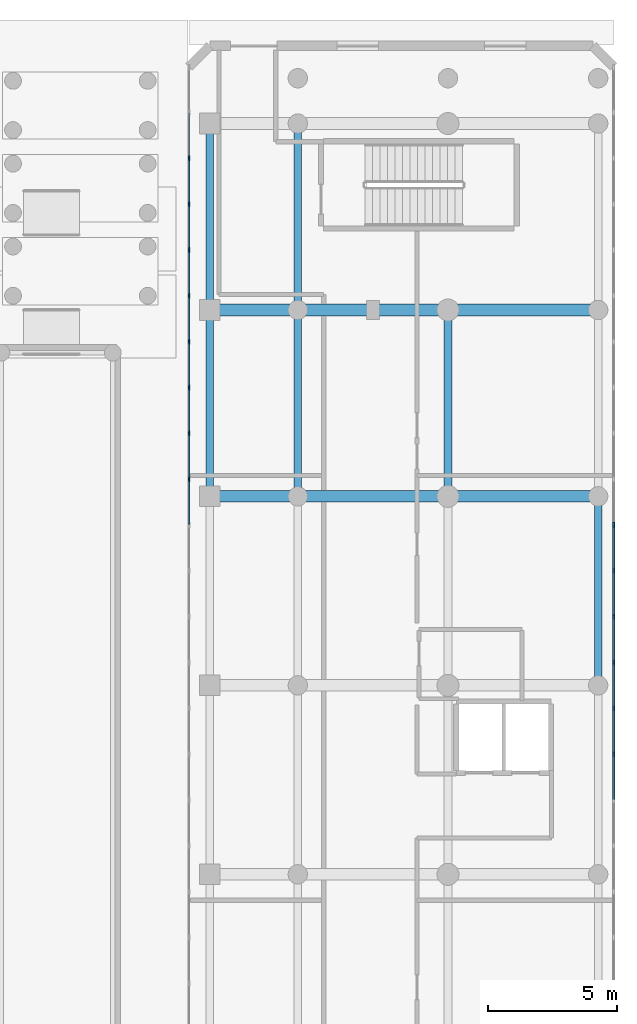
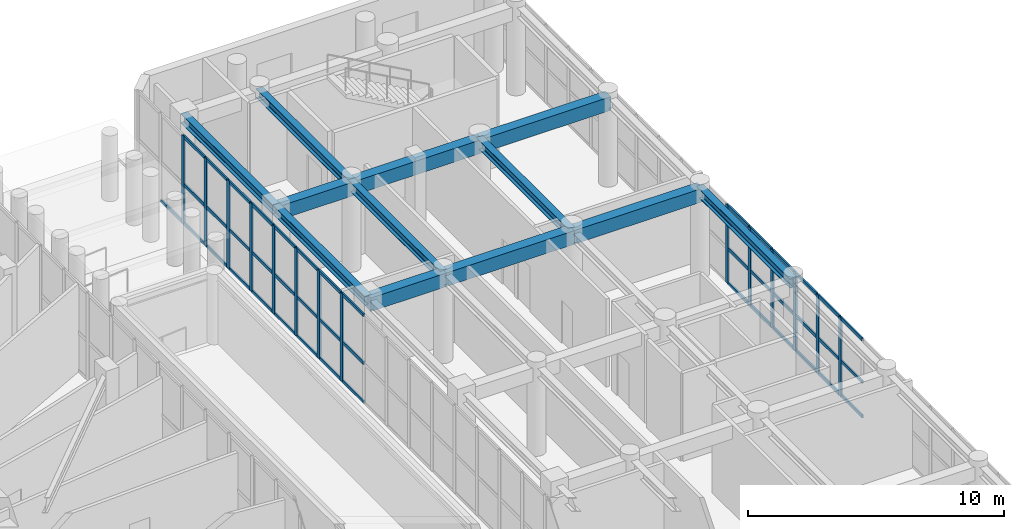
# One storey, part 8 of 30: 57 members, 12 beams, 2 elements without a shape of their own.
"""IFC4 building model written with IfcOpenShell, lengths in metres."""

from ifc_helpers import new_model, si_unit, direction, frame, origin, origin_with_axes, origin_2d, place, context, subcontext, project, spatial, rectangle, i_section, extrude, source, transform, mapped, material, layer, layer_set, material_profile, profile_set, type_object, element, aggregate, save


model = new_model("IFC4")

# Units and contexts
model_context = context("Model", 3, precision=1e-05, world=origin(), true_north=direction((0.0, 1.0)))
body_context = subcontext(model_context, "Body", "Model", "MODEL_VIEW")
ifc_project = project(units=[si_unit("LENGTHUNIT", "METRE"), si_unit("AREAUNIT", "SQUARE_METRE"), si_unit("VOLUMEUNIT", "CUBIC_METRE"), si_unit("PLANEANGLEUNIT", "RADIAN"), si_unit("MASSUNIT", "GRAM", prefix="KILO")], contexts=[model_context])

# Site, building, storey
site_placement = place(None, origin())
site = spatial("IfcSite", under=ifc_project, at=site_placement, CompositionType="ELEMENT")
building_placement = place(site_placement, origin())
building = spatial("IfcBuilding", under=site, at=building_placement, Name="Karkom Vertical University and Central Library", CompositionType="ELEMENT")
storey_placement = place(building_placement, origin())
storey = spatial("IfcBuildingStorey", under=building, at=storey_placement, Name="L00", CompositionType="ELEMENT", Elevation=0.0)

# Beams
ifc_material_1 = material(Name="Concrete C40/50", Category="concrete")
ifc_material_profile_1 = material_profile(ifc_material_1, rectangle(XDim=0.449951171875, YDim=0.64990234375, at=origin_2d()), Name="RCB-450x650")
ifc_profile_set_1 = profile_set([ifc_material_profile_1], Name="Concrete C40/50")
beam_type_1 = type_object("IfcBeamType", Name="STR-BM-BG-4", PredefinedType="USERDEFINED", material=ifc_profile_set_1)
shared_shape_1 = source(origin_with_axes(), body_context, "Body", "SweptSolid", [
    extrude(rectangle(XDim=0.449951171875, YDim=0.64990234375, at=origin_2d()), origin(), (0.0, 0.0, 1.0), 3.400146484375),
])
for number, where, z_axis, x_axis, name in (
    (1, (66.199951171875, 33.800048828125, 3.875), (1.0, 0.0, 0.0), (0.0, 1.0, 0.0), "Level 00 Library Transverse Girder 5.1"),
    (2, (66.199951171875, 41.0, 3.875), (1.0, 0.0, 0.0), (0.0, 1.0, 0.0), "Level 00 Library Transverse Girder 6.1"),
):
    element("IfcBeam", number, at=place(storey_placement, frame(where, z_axis=z_axis, x_axis=x_axis)), inside=storey, type_object=beam_type_1, Name=name, ObjectType="GIRDER", PredefinedType="USERDEFINED", context=body_context, shape_type="MappedRepresentation", body=[
        mapped(shared_shape_1, transform((0.0, 0.0, 0.0), scale=1.0)),
    ])
shared_shape_2 = source(origin_with_axes(), body_context, "Body", "SweptSolid", [
    extrude(rectangle(XDim=0.449951171875, YDim=0.64990234375, at=origin_2d()), origin(), (0.0, 0.0, 1.0), 5.7998046875),
])
for number, where, z_axis, x_axis, name in (
    (3, (69.60009765625, 33.800048828125, 3.875), (1.0, 0.0, 0.0), (0.0, 1.0, 0.0), "Level 00 Library Transverse Girder 5.2"),
    (4, (69.60009765625, 41.0, 3.875), (1.0, 0.0, 0.0), (0.0, 1.0, 0.0), "Level 00 Library Transverse Girder 6.2"),
):
    element("IfcBeam", number, at=place(storey_placement, frame(where, z_axis=z_axis, x_axis=x_axis)), inside=storey, type_object=beam_type_1, Name=name, ObjectType="GIRDER", PredefinedType="USERDEFINED", context=body_context, shape_type="MappedRepresentation", body=[
        mapped(shared_shape_2, transform((0.0, 0.0, 0.0), scale=1.0)),
    ])
shared_shape_3 = source(origin_with_axes(), body_context, "Body", "SweptSolid", [
    extrude(rectangle(XDim=0.449951171875, YDim=0.64990234375, at=origin_2d()), origin(), (0.0, 0.0, 1.0), 5.800048828125),
])
for number, where, z_axis, x_axis, name in (
    (5, (75.39990234375, 33.800048828125, 3.875), (1.0, 0.0, 0.0), (0.0, 1.0, 0.0), "Level 00 Library Transverse Girder 5.3"),
    (6, (75.39990234375, 41.0, 3.875), (1.0, 0.0, 0.0), (0.0, 1.0, 0.0), "Level 00 Library Transverse Girder 6.3"),
):
    element("IfcBeam", number, at=place(storey_placement, frame(where, z_axis=z_axis, x_axis=x_axis)), inside=storey, type_object=beam_type_1, Name=name, ObjectType="GIRDER", PredefinedType="USERDEFINED", context=body_context, shape_type="MappedRepresentation", body=[
        mapped(shared_shape_3, transform((0.0, 0.0, 0.0), scale=1.0)),
    ])
ifc_material_2 = material(Name="Steel S355", Category="steel")
ifc_material_profile_2 = material_profile(ifc_material_2, i_section(OverallWidth=0.300048828125, OverallDepth=0.449951171875, WebThickness=0.013916015625, FlangeThickness=0.02587890625, FilletRadius=0.027099609375, at=origin_2d()), Name="HE 450 B")
ifc_profile_set_2 = profile_set([ifc_material_profile_2], Name="Steel S355")
beam_type_2 = type_object("IfcBeamType", Name="STR-BM-SB-HE450", PredefinedType="BEAM", material=ifc_profile_set_2)
shared_shape_4 = source(origin_with_axes(), body_context, "Body", "SweptSolid", [
    extrude(i_section(OverallWidth=0.300048828125, OverallDepth=0.449951171875, WebThickness=0.013916015625, FlangeThickness=0.02587890625, FilletRadius=0.027099609375, at=origin_2d()), origin(), (0.0, 0.0, 1.0), 7.199951171875),
])
for number, where, z_axis, x_axis, name in (
    (7, (66.199951171875, 33.800048828125, 3.97509765625), (0.0, 1.0, 0.0), (-1.0, 0.0, 0.0), "Level 00 Library Longitudinal Beam 1.5"),
    (8, (66.199951171875, 41.0, 3.97509765625), (0.0, 1.0, 0.0), (-1.0, 0.0, 0.0), "Level 00 Library Longitudinal Beam 1.6"),
    (9, (69.60009765625, 33.800048828125, 3.97509765625), (0.0, 1.0, 0.0), (-1.0, 0.0, 0.0), "Level 00 Library Longitudinal Beam 2.5"),
    (10, (69.60009765625, 41.0, 3.97509765625), (0.0, 1.0, 0.0), (-1.0, 0.0, 0.0), "Level 00 Library Longitudinal Beam 2.6"),
    (11, (75.39990234375, 33.800048828125, 3.97509765625), (0.0, 1.0, 0.0), (-1.0, 0.0, 0.0), "Level 00 Library Longitudinal Beam 3.5"),
):
    element("IfcBeam", number, at=place(storey_placement, frame(where, z_axis=z_axis, x_axis=x_axis)), inside=storey, type_object=beam_type_2, Name=name, PredefinedType="BEAM", context=body_context, shape_type="MappedRepresentation", body=[
        mapped(shared_shape_4, transform((0.0, 0.0, 0.0), scale=1.0)),
    ])
shared_shape_5 = source(origin_with_axes(), body_context, "Body", "SweptSolid", [
    extrude(i_section(OverallWidth=0.300048828125, OverallDepth=0.449951171875, WebThickness=0.013916015625, FlangeThickness=0.02587890625, FilletRadius=0.027099609375, at=origin_2d()), origin(), (0.0, 0.0, 1.0), 7.300048828125),
])
beam_placement = place(storey_placement, frame((81.199951171875, 26.5, 3.97509765625), z_axis=(0.0, 1.0, 0.0), x_axis=(-1.0, 0.0, 0.0)))
element("IfcBeam", 12, at=beam_placement, inside=storey, type_object=beam_type_2, Name="Level 00 Library Longitudinal Beam 4.4", PredefinedType="BEAM", context=body_context, shape_type="MappedRepresentation", body=[
    mapped(shared_shape_5, transform((0.0, 0.0, 0.0), scale=1.0)),
])

# Curtain wall, members
ifc_material_3 = material(Name="Aluminium curtain-wall framing and low-E IGU", Category="aluminium")
ifc_layer = layer(ifc_material_3, 0.199951171875)
ifc_layer_set = layer_set([ifc_layer], Name="Aluminium curtain-wall framing and low-E IGU")
curtain_wall_type = type_object("IfcCurtainWallType", Name="ENV-CW-1", PredefinedType="USERDEFINED", material=ifc_layer_set)
curtain_wall_1_placement = place(storey_placement, origin())
curtain_wall_1 = element("IfcCurtainWall", 13, at=curtain_wall_1_placement, inside=storey, type_object=curtain_wall_type, Name="Level 00 CW-1 Curtain Wall L00-CW-1-LIB-3", ObjectType="STICK MULLION GLAZING", PredefinedType="USERDEFINED")
ifc_material_4 = material(Name="Anodised Aluminium 6063-T6", Category="aluminium")
ifc_material_profile_3 = material_profile(ifc_material_4, rectangle(XDim=0.070068359375, YDim=0.199951171875, at=origin_2d()), Name="ALU-M70x200")
ifc_profile_set_3 = profile_set([ifc_material_profile_3], Name="Anodised Aluminium 6063-T6")
member_type_1 = type_object("IfcMemberType", Name="ENV-MEM-ALU-M70x200", PredefinedType="MULLION", material=ifc_profile_set_3)
shared_shape_6 = source(origin_with_axes(), body_context, "Body", "SweptSolid", [
    extrude(rectangle(XDim=0.070068359375, YDim=0.199951171875, at=origin_2d()), origin(), (0.0, 0.0, 1.0), 3.75),
])
member_1_placement = place(storey_placement, frame((81.800048828125, 23.844482421875, 0.0), z_axis=(0.0, 0.0, 1.0), x_axis=(-1.0, 0.0, 0.0)))
member_1 = element("IfcMember", 14, at=member_1_placement, type_object=member_type_1, Name="CW-1 mullion 13", PredefinedType="MULLION", context=body_context, shape_type="MappedRepresentation", body=[
    mapped(shared_shape_6, transform((0.0, 0.0, 0.0), scale=1.0)),
])
member_2_placement = place(storey_placement, frame((81.800048828125, 25.61474609375, 0.0), z_axis=(0.0, 0.0, 1.0), x_axis=(-1.0, 0.0, 0.0)))
member_2 = element("IfcMember", 15, at=member_2_placement, type_object=member_type_1, Name="CW-1 mullion 14", PredefinedType="MULLION", context=body_context, shape_type="MappedRepresentation", body=[
    mapped(shared_shape_6, transform((0.0, 0.0, 0.0), scale=1.0)),
])
member_3_placement = place(storey_placement, frame((81.800048828125, 27.38525390625, 0.0), z_axis=(0.0, 0.0, 1.0), x_axis=(-1.0, 0.0, 0.0)))
member_3 = element("IfcMember", 16, at=member_3_placement, type_object=member_type_1, Name="CW-1 mullion 15", PredefinedType="MULLION", context=body_context, shape_type="MappedRepresentation", body=[
    mapped(shared_shape_6, transform((0.0, 0.0, 0.0), scale=1.0)),
])
member_4_placement = place(storey_placement, frame((81.800048828125, 29.155517578125, 0.0), z_axis=(0.0, 0.0, 1.0), x_axis=(-1.0, 0.0, 0.0)))
member_4 = element("IfcMember", 17, at=member_4_placement, type_object=member_type_1, Name="CW-1 mullion 16", PredefinedType="MULLION", context=body_context, shape_type="MappedRepresentation", body=[
    mapped(shared_shape_6, transform((0.0, 0.0, 0.0), scale=1.0)),
])
member_5_placement = place(storey_placement, frame((81.800048828125, 30.926025390625, 0.0), z_axis=(0.0, 0.0, 1.0), x_axis=(-1.0, 0.0, 0.0)))
member_5 = element("IfcMember", 18, at=member_5_placement, type_object=member_type_1, Name="CW-1 mullion 17", PredefinedType="MULLION", context=body_context, shape_type="MappedRepresentation", body=[
    mapped(shared_shape_6, transform((0.0, 0.0, 0.0), scale=1.0)),
])
member_6_placement = place(storey_placement, frame((81.800048828125, 32.6962890625, 0.0), z_axis=(0.0, 0.0, 1.0), x_axis=(-1.0, 0.0, 0.0)))
member_6 = element("IfcMember", 19, at=member_6_placement, type_object=member_type_1, Name="CW-1 mullion 18", PredefinedType="MULLION", context=body_context, shape_type="MappedRepresentation", body=[
    mapped(shared_shape_6, transform((0.0, 0.0, 0.0), scale=1.0)),
])
ifc_material_profile_4 = material_profile(ifc_material_4, rectangle(XDim=0.070068359375, YDim=0.14990234375, at=origin_2d()), Name="ALU-T70x150")
ifc_profile_set_4 = profile_set([ifc_material_profile_4], Name="Anodised Aluminium 6063-T6")
member_type_2 = type_object("IfcMemberType", Name="ENV-MEM-ALU-T70x150", PredefinedType="USERDEFINED", material=ifc_profile_set_4)
shared_shape_7 = source(origin_with_axes(), body_context, "Body", "SweptSolid", [
    extrude(rectangle(XDim=0.070068359375, YDim=0.14990234375, at=origin_2d()), origin(), (0.0, 0.0, 1.0), 1.700439453125),
])
member_7_placement = place(storey_placement, frame((81.800048828125, 23.87939453125, 0.034912109375), z_axis=(0.0, 1.0, 0.0), x_axis=(-1.0, 0.0, 0.0)))
member_7 = element("IfcMember", 20, at=member_7_placement, type_object=member_type_2, Name="CW-1 transom 13.1", ObjectType="TRANSOM", PredefinedType="USERDEFINED", context=body_context, shape_type="MappedRepresentation", body=[
    mapped(shared_shape_7, transform((0.0, 0.0, 0.0), scale=1.0)),
])
member_8_placement = place(storey_placement, frame((81.800048828125, 23.87939453125, 1.6875), z_axis=(0.0, 1.0, 0.0), x_axis=(-1.0, 0.0, 0.0)))
member_8 = element("IfcMember", 21, at=member_8_placement, type_object=member_type_2, Name="CW-1 transom 13.2", ObjectType="TRANSOM", PredefinedType="USERDEFINED", context=body_context, shape_type="MappedRepresentation", body=[
    mapped(shared_shape_7, transform((0.0, 0.0, 0.0), scale=1.0)),
])
member_9_placement = place(storey_placement, frame((81.800048828125, 23.87939453125, 3.715087890625), z_axis=(0.0, 1.0, 0.0), x_axis=(-1.0, 0.0, 0.0)))
member_9 = element("IfcMember", 22, at=member_9_placement, type_object=member_type_2, Name="CW-1 transom 13.3", ObjectType="TRANSOM", PredefinedType="USERDEFINED", context=body_context, shape_type="MappedRepresentation", body=[
    mapped(shared_shape_7, transform((0.0, 0.0, 0.0), scale=1.0)),
])
member_10_placement = place(storey_placement, frame((81.800048828125, 27.420166015625, 0.034912109375), z_axis=(0.0, 1.0, 0.0), x_axis=(-1.0, 0.0, 0.0)))
member_10 = element("IfcMember", 23, at=member_10_placement, type_object=member_type_2, Name="CW-1 transom 15.1", ObjectType="TRANSOM", PredefinedType="USERDEFINED", context=body_context, shape_type="MappedRepresentation", body=[
    mapped(shared_shape_7, transform((0.0, 0.0, 0.0), scale=1.0)),
])
member_11_placement = place(storey_placement, frame((81.800048828125, 27.420166015625, 1.6875), z_axis=(0.0, 1.0, 0.0), x_axis=(-1.0, 0.0, 0.0)))
member_11 = element("IfcMember", 24, at=member_11_placement, type_object=member_type_2, Name="CW-1 transom 15.2", ObjectType="TRANSOM", PredefinedType="USERDEFINED", context=body_context, shape_type="MappedRepresentation", body=[
    mapped(shared_shape_7, transform((0.0, 0.0, 0.0), scale=1.0)),
])
member_12_placement = place(storey_placement, frame((81.800048828125, 27.420166015625, 3.715087890625), z_axis=(0.0, 1.0, 0.0), x_axis=(-1.0, 0.0, 0.0)))
member_12 = element("IfcMember", 25, at=member_12_placement, type_object=member_type_2, Name="CW-1 transom 15.3", ObjectType="TRANSOM", PredefinedType="USERDEFINED", context=body_context, shape_type="MappedRepresentation", body=[
    mapped(shared_shape_7, transform((0.0, 0.0, 0.0), scale=1.0)),
])
member_13_placement = place(storey_placement, frame((81.800048828125, 30.9609375, 0.034912109375), z_axis=(0.0, 1.0, 0.0), x_axis=(-1.0, 0.0, 0.0)))
member_13 = element("IfcMember", 26, at=member_13_placement, type_object=member_type_2, Name="CW-1 transom 17.1", ObjectType="TRANSOM", PredefinedType="USERDEFINED", context=body_context, shape_type="MappedRepresentation", body=[
    mapped(shared_shape_7, transform((0.0, 0.0, 0.0), scale=1.0)),
])
member_14_placement = place(storey_placement, frame((81.800048828125, 30.9609375, 1.6875), z_axis=(0.0, 1.0, 0.0), x_axis=(-1.0, 0.0, 0.0)))
member_14 = element("IfcMember", 27, at=member_14_placement, type_object=member_type_2, Name="CW-1 transom 17.2", ObjectType="TRANSOM", PredefinedType="USERDEFINED", context=body_context, shape_type="MappedRepresentation", body=[
    mapped(shared_shape_7, transform((0.0, 0.0, 0.0), scale=1.0)),
])
member_15_placement = place(storey_placement, frame((81.800048828125, 30.9609375, 3.715087890625), z_axis=(0.0, 1.0, 0.0), x_axis=(-1.0, 0.0, 0.0)))
member_15 = element("IfcMember", 28, at=member_15_placement, type_object=member_type_2, Name="CW-1 transom 17.3", ObjectType="TRANSOM", PredefinedType="USERDEFINED", context=body_context, shape_type="MappedRepresentation", body=[
    mapped(shared_shape_7, transform((0.0, 0.0, 0.0), scale=1.0)),
])

curtain_wall_2_placement = place(storey_placement, origin())
curtain_wall_2 = element("IfcCurtainWall", 29, at=curtain_wall_2_placement, inside=storey, type_object=curtain_wall_type, Name="Level 00 CW-1 Curtain Wall L00-CW-1-LIB-7", ObjectType="STICK MULLION GLAZING", PredefinedType="USERDEFINED")
member_16_placement = place(storey_placement, frame((65.39990234375, 48.5947265625, 0.034912109375), z_axis=(0.0, -1.0, 0.0), x_axis=(1.0, 0.0, 0.0)))
member_16 = element("IfcMember", 30, at=member_16_placement, type_object=member_type_2, Name="CW-1 transom 2.1", ObjectType="TRANSOM", PredefinedType="USERDEFINED", context=body_context, shape_type="MappedRepresentation", body=[
    mapped(shared_shape_7, transform((0.0, 0.0, 0.0), scale=1.0)),
])
member_17_placement = place(storey_placement, frame((65.39990234375, 46.82421875, 0.034912109375), z_axis=(0.0, -1.0, 0.0), x_axis=(1.0, 0.0, 0.0)))
member_17 = element("IfcMember", 31, at=member_17_placement, type_object=member_type_2, Name="CW-1 transom 3.1", ObjectType="TRANSOM", PredefinedType="USERDEFINED", context=body_context, shape_type="MappedRepresentation", body=[
    mapped(shared_shape_7, transform((0.0, 0.0, 0.0), scale=1.0)),
])
member_18_placement = place(storey_placement, frame((65.39990234375, 46.82421875, 1.889892578125), z_axis=(0.0, -1.0, 0.0), x_axis=(1.0, 0.0, 0.0)))
member_18 = element("IfcMember", 32, at=member_18_placement, type_object=member_type_2, Name="CW-1 transom 3.2", ObjectType="TRANSOM", PredefinedType="USERDEFINED", context=body_context, shape_type="MappedRepresentation", body=[
    mapped(shared_shape_7, transform((0.0, 0.0, 0.0), scale=1.0)),
])
member_19_placement = place(storey_placement, frame((65.39990234375, 46.82421875, 4.1650390625), z_axis=(0.0, -1.0, 0.0), x_axis=(1.0, 0.0, 0.0)))
member_19 = element("IfcMember", 33, at=member_19_placement, type_object=member_type_2, Name="CW-1 transom 3.3", ObjectType="TRANSOM", PredefinedType="USERDEFINED", context=body_context, shape_type="MappedRepresentation", body=[
    mapped(shared_shape_7, transform((0.0, 0.0, 0.0), scale=1.0)),
])
member_20_placement = place(storey_placement, frame((65.39990234375, 45.053955078125, 0.034912109375), z_axis=(0.0, -1.0, 0.0), x_axis=(1.0, 0.0, 0.0)))
member_20 = element("IfcMember", 34, at=member_20_placement, type_object=member_type_2, Name="CW-1 transom 4.1", ObjectType="TRANSOM", PredefinedType="USERDEFINED", context=body_context, shape_type="MappedRepresentation", body=[
    mapped(shared_shape_7, transform((0.0, 0.0, 0.0), scale=1.0)),
])
member_21_placement = place(storey_placement, frame((65.39990234375, 45.053955078125, 1.889892578125), z_axis=(0.0, -1.0, 0.0), x_axis=(1.0, 0.0, 0.0)))
member_21 = element("IfcMember", 35, at=member_21_placement, type_object=member_type_2, Name="CW-1 transom 4.2", ObjectType="TRANSOM", PredefinedType="USERDEFINED", context=body_context, shape_type="MappedRepresentation", body=[
    mapped(shared_shape_7, transform((0.0, 0.0, 0.0), scale=1.0)),
])
member_22_placement = place(storey_placement, frame((65.39990234375, 45.053955078125, 4.1650390625), z_axis=(0.0, -1.0, 0.0), x_axis=(1.0, 0.0, 0.0)))
member_22 = element("IfcMember", 36, at=member_22_placement, type_object=member_type_2, Name="CW-1 transom 4.3", ObjectType="TRANSOM", PredefinedType="USERDEFINED", context=body_context, shape_type="MappedRepresentation", body=[
    mapped(shared_shape_7, transform((0.0, 0.0, 0.0), scale=1.0)),
])
member_23_placement = place(storey_placement, frame((65.39990234375, 41.51318359375, 0.034912109375), z_axis=(0.0, -1.0, 0.0), x_axis=(1.0, 0.0, 0.0)))
member_23 = element("IfcMember", 37, at=member_23_placement, type_object=member_type_2, Name="CW-1 transom 6.1", ObjectType="TRANSOM", PredefinedType="USERDEFINED", context=body_context, shape_type="MappedRepresentation", body=[
    mapped(shared_shape_7, transform((0.0, 0.0, 0.0), scale=1.0)),
])
member_24_placement = place(storey_placement, frame((65.39990234375, 41.51318359375, 1.889892578125), z_axis=(0.0, -1.0, 0.0), x_axis=(1.0, 0.0, 0.0)))
member_24 = element("IfcMember", 38, at=member_24_placement, type_object=member_type_2, Name="CW-1 transom 6.2", ObjectType="TRANSOM", PredefinedType="USERDEFINED", context=body_context, shape_type="MappedRepresentation", body=[
    mapped(shared_shape_7, transform((0.0, 0.0, 0.0), scale=1.0)),
])
member_25_placement = place(storey_placement, frame((65.39990234375, 41.51318359375, 4.1650390625), z_axis=(0.0, -1.0, 0.0), x_axis=(1.0, 0.0, 0.0)))
member_25 = element("IfcMember", 39, at=member_25_placement, type_object=member_type_2, Name="CW-1 transom 6.3", ObjectType="TRANSOM", PredefinedType="USERDEFINED", context=body_context, shape_type="MappedRepresentation", body=[
    mapped(shared_shape_7, transform((0.0, 0.0, 0.0), scale=1.0)),
])
member_26_placement = place(storey_placement, frame((65.39990234375, 37.972412109375, 0.034912109375), z_axis=(0.0, -1.0, 0.0), x_axis=(1.0, 0.0, 0.0)))
member_26 = element("IfcMember", 40, at=member_26_placement, type_object=member_type_2, Name="CW-1 transom 8.1", ObjectType="TRANSOM", PredefinedType="USERDEFINED", context=body_context, shape_type="MappedRepresentation", body=[
    mapped(shared_shape_7, transform((0.0, 0.0, 0.0), scale=1.0)),
])
member_27_placement = place(storey_placement, frame((65.39990234375, 37.972412109375, 1.889892578125), z_axis=(0.0, -1.0, 0.0), x_axis=(1.0, 0.0, 0.0)))
member_27 = element("IfcMember", 41, at=member_27_placement, type_object=member_type_2, Name="CW-1 transom 8.2", ObjectType="TRANSOM", PredefinedType="USERDEFINED", context=body_context, shape_type="MappedRepresentation", body=[
    mapped(shared_shape_7, transform((0.0, 0.0, 0.0), scale=1.0)),
])
member_28_placement = place(storey_placement, frame((65.39990234375, 37.972412109375, 4.1650390625), z_axis=(0.0, -1.0, 0.0), x_axis=(1.0, 0.0, 0.0)))
member_28 = element("IfcMember", 42, at=member_28_placement, type_object=member_type_2, Name="CW-1 transom 8.3", ObjectType="TRANSOM", PredefinedType="USERDEFINED", context=body_context, shape_type="MappedRepresentation", body=[
    mapped(shared_shape_7, transform((0.0, 0.0, 0.0), scale=1.0)),
])
member_29_placement = place(storey_placement, frame((65.39990234375, 36.2021484375, 0.034912109375), z_axis=(0.0, -1.0, 0.0), x_axis=(1.0, 0.0, 0.0)))
member_29 = element("IfcMember", 43, at=member_29_placement, type_object=member_type_2, Name="CW-1 transom 9.1", ObjectType="TRANSOM", PredefinedType="USERDEFINED", context=body_context, shape_type="MappedRepresentation", body=[
    mapped(shared_shape_7, transform((0.0, 0.0, 0.0), scale=1.0)),
])
member_30_placement = place(storey_placement, frame((65.39990234375, 36.2021484375, 1.889892578125), z_axis=(0.0, -1.0, 0.0), x_axis=(1.0, 0.0, 0.0)))
member_30 = element("IfcMember", 44, at=member_30_placement, type_object=member_type_2, Name="CW-1 transom 9.2", ObjectType="TRANSOM", PredefinedType="USERDEFINED", context=body_context, shape_type="MappedRepresentation", body=[
    mapped(shared_shape_7, transform((0.0, 0.0, 0.0), scale=1.0)),
])
member_31_placement = place(storey_placement, frame((65.39990234375, 36.2021484375, 4.1650390625), z_axis=(0.0, -1.0, 0.0), x_axis=(1.0, 0.0, 0.0)))
member_31 = element("IfcMember", 45, at=member_31_placement, type_object=member_type_2, Name="CW-1 transom 9.3", ObjectType="TRANSOM", PredefinedType="USERDEFINED", context=body_context, shape_type="MappedRepresentation", body=[
    mapped(shared_shape_7, transform((0.0, 0.0, 0.0), scale=1.0)),
])
member_32_placement = place(storey_placement, frame((65.39990234375, 34.431640625, 0.034912109375), z_axis=(0.0, -1.0, 0.0), x_axis=(1.0, 0.0, 0.0)))
member_32 = element("IfcMember", 46, at=member_32_placement, type_object=member_type_2, Name="CW-1 transom 10.1", ObjectType="TRANSOM", PredefinedType="USERDEFINED", context=body_context, shape_type="MappedRepresentation", body=[
    mapped(shared_shape_7, transform((0.0, 0.0, 0.0), scale=1.0)),
])
member_33_placement = place(storey_placement, frame((65.39990234375, 34.431640625, 1.889892578125), z_axis=(0.0, -1.0, 0.0), x_axis=(1.0, 0.0, 0.0)))
member_33 = element("IfcMember", 47, at=member_33_placement, type_object=member_type_2, Name="CW-1 transom 10.2", ObjectType="TRANSOM", PredefinedType="USERDEFINED", context=body_context, shape_type="MappedRepresentation", body=[
    mapped(shared_shape_7, transform((0.0, 0.0, 0.0), scale=1.0)),
])
member_34_placement = place(storey_placement, frame((65.39990234375, 34.431640625, 4.1650390625), z_axis=(0.0, -1.0, 0.0), x_axis=(1.0, 0.0, 0.0)))
member_34 = element("IfcMember", 48, at=member_34_placement, type_object=member_type_2, Name="CW-1 transom 10.3", ObjectType="TRANSOM", PredefinedType="USERDEFINED", context=body_context, shape_type="MappedRepresentation", body=[
    mapped(shared_shape_7, transform((0.0, 0.0, 0.0), scale=1.0)),
])

# Member
shared_shape_8 = source(origin_with_axes(), body_context, "Body", "SweptSolid", [
    extrude(rectangle(XDim=0.070068359375, YDim=0.14990234375, at=origin_2d()), origin(), (0.0, 0.0, 1.0), 1.7001953125),
])
member_35_placement = place(storey_placement, frame((81.800048828125, 22.109130859375, 0.034912109375), z_axis=(0.0, 1.0, 0.0), x_axis=(-1.0, 0.0, 0.0)))
member_35 = element("IfcMember", 49, at=member_35_placement, type_object=member_type_2, Name="CW-1 transom 12.1", ObjectType="TRANSOM", PredefinedType="USERDEFINED", context=body_context, shape_type="MappedRepresentation", body=[
    mapped(shared_shape_8, transform((0.0, 0.0, 0.0), scale=1.0)),
])

member_36_placement = place(storey_placement, frame((81.800048828125, 22.109130859375, 1.6875), z_axis=(0.0, 1.0, 0.0), x_axis=(-1.0, 0.0, 0.0)))
member_36 = element("IfcMember", 50, at=member_36_placement, type_object=member_type_2, Name="CW-1 transom 12.2", ObjectType="TRANSOM", PredefinedType="USERDEFINED", context=body_context, shape_type="MappedRepresentation", body=[
    mapped(shared_shape_8, transform((0.0, 0.0, 0.0), scale=1.0)),
])

member_37_placement = place(storey_placement, frame((81.800048828125, 22.109130859375, 3.715087890625), z_axis=(0.0, 1.0, 0.0), x_axis=(-1.0, 0.0, 0.0)))
member_37 = element("IfcMember", 51, at=member_37_placement, type_object=member_type_2, Name="CW-1 transom 12.3", ObjectType="TRANSOM", PredefinedType="USERDEFINED", context=body_context, shape_type="MappedRepresentation", body=[
    mapped(shared_shape_8, transform((0.0, 0.0, 0.0), scale=1.0)),
])

member_38_placement = place(storey_placement, frame((81.800048828125, 25.64990234375, 0.034912109375), z_axis=(0.0, 1.0, 0.0), x_axis=(-1.0, 0.0, 0.0)))
member_38 = element("IfcMember", 52, at=member_38_placement, type_object=member_type_2, Name="CW-1 transom 14.1", ObjectType="TRANSOM", PredefinedType="USERDEFINED", context=body_context, shape_type="MappedRepresentation", body=[
    mapped(shared_shape_8, transform((0.0, 0.0, 0.0), scale=1.0)),
])

member_39_placement = place(storey_placement, frame((81.800048828125, 25.64990234375, 1.6875), z_axis=(0.0, 1.0, 0.0), x_axis=(-1.0, 0.0, 0.0)))
member_39 = element("IfcMember", 53, at=member_39_placement, type_object=member_type_2, Name="CW-1 transom 14.2", ObjectType="TRANSOM", PredefinedType="USERDEFINED", context=body_context, shape_type="MappedRepresentation", body=[
    mapped(shared_shape_8, transform((0.0, 0.0, 0.0), scale=1.0)),
])

member_40_placement = place(storey_placement, frame((81.800048828125, 25.64990234375, 3.715087890625), z_axis=(0.0, 1.0, 0.0), x_axis=(-1.0, 0.0, 0.0)))
member_40 = element("IfcMember", 54, at=member_40_placement, type_object=member_type_2, Name="CW-1 transom 14.3", ObjectType="TRANSOM", PredefinedType="USERDEFINED", context=body_context, shape_type="MappedRepresentation", body=[
    mapped(shared_shape_8, transform((0.0, 0.0, 0.0), scale=1.0)),
])

member_41_placement = place(storey_placement, frame((81.800048828125, 29.190673828125, 0.034912109375), z_axis=(0.0, 1.0, 0.0), x_axis=(-1.0, 0.0, 0.0)))
member_41 = element("IfcMember", 55, at=member_41_placement, type_object=member_type_2, Name="CW-1 transom 16.1", ObjectType="TRANSOM", PredefinedType="USERDEFINED", context=body_context, shape_type="MappedRepresentation", body=[
    mapped(shared_shape_8, transform((0.0, 0.0, 0.0), scale=1.0)),
])

member_42_placement = place(storey_placement, frame((81.800048828125, 29.190673828125, 1.6875), z_axis=(0.0, 1.0, 0.0), x_axis=(-1.0, 0.0, 0.0)))
member_42 = element("IfcMember", 56, at=member_42_placement, type_object=member_type_2, Name="CW-1 transom 16.2", ObjectType="TRANSOM", PredefinedType="USERDEFINED", context=body_context, shape_type="MappedRepresentation", body=[
    mapped(shared_shape_8, transform((0.0, 0.0, 0.0), scale=1.0)),
])

member_43_placement = place(storey_placement, frame((81.800048828125, 29.190673828125, 3.715087890625), z_axis=(0.0, 1.0, 0.0), x_axis=(-1.0, 0.0, 0.0)))
member_43 = element("IfcMember", 57, at=member_43_placement, type_object=member_type_2, Name="CW-1 transom 16.3", ObjectType="TRANSOM", PredefinedType="USERDEFINED", context=body_context, shape_type="MappedRepresentation", body=[
    mapped(shared_shape_8, transform((0.0, 0.0, 0.0), scale=1.0)),
])

aggregate(curtain_wall_1, [member_1, member_2, member_3, member_4, member_5, member_6, member_35, member_36, member_37, member_7, member_8, member_9, member_38, member_39, member_40, member_10, member_11, member_12, member_41, member_42, member_43, member_13, member_14, member_15])

member_44_placement = place(storey_placement, frame((65.39990234375, 43.283447265625, 0.034912109375), z_axis=(0.0, -1.0, 0.0), x_axis=(1.0, 0.0, 0.0)))
member_44 = element("IfcMember", 58, at=member_44_placement, type_object=member_type_2, Name="CW-1 transom 5.1", ObjectType="TRANSOM", PredefinedType="USERDEFINED", context=body_context, shape_type="MappedRepresentation", body=[
    mapped(shared_shape_8, transform((0.0, 0.0, 0.0), scale=1.0)),
])

member_45_placement = place(storey_placement, frame((65.39990234375, 43.283447265625, 1.889892578125), z_axis=(0.0, -1.0, 0.0), x_axis=(1.0, 0.0, 0.0)))
member_45 = element("IfcMember", 59, at=member_45_placement, type_object=member_type_2, Name="CW-1 transom 5.2", ObjectType="TRANSOM", PredefinedType="USERDEFINED", context=body_context, shape_type="MappedRepresentation", body=[
    mapped(shared_shape_8, transform((0.0, 0.0, 0.0), scale=1.0)),
])

member_46_placement = place(storey_placement, frame((65.39990234375, 43.283447265625, 4.1650390625), z_axis=(0.0, -1.0, 0.0), x_axis=(1.0, 0.0, 0.0)))
member_46 = element("IfcMember", 60, at=member_46_placement, type_object=member_type_2, Name="CW-1 transom 5.3", ObjectType="TRANSOM", PredefinedType="USERDEFINED", context=body_context, shape_type="MappedRepresentation", body=[
    mapped(shared_shape_8, transform((0.0, 0.0, 0.0), scale=1.0)),
])

member_47_placement = place(storey_placement, frame((65.39990234375, 39.74267578125, 0.034912109375), z_axis=(0.0, -1.0, 0.0), x_axis=(1.0, 0.0, 0.0)))
member_47 = element("IfcMember", 61, at=member_47_placement, type_object=member_type_2, Name="CW-1 transom 7.1", ObjectType="TRANSOM", PredefinedType="USERDEFINED", context=body_context, shape_type="MappedRepresentation", body=[
    mapped(shared_shape_8, transform((0.0, 0.0, 0.0), scale=1.0)),
])

member_48_placement = place(storey_placement, frame((65.39990234375, 39.74267578125, 1.889892578125), z_axis=(0.0, -1.0, 0.0), x_axis=(1.0, 0.0, 0.0)))
member_48 = element("IfcMember", 62, at=member_48_placement, type_object=member_type_2, Name="CW-1 transom 7.2", ObjectType="TRANSOM", PredefinedType="USERDEFINED", context=body_context, shape_type="MappedRepresentation", body=[
    mapped(shared_shape_8, transform((0.0, 0.0, 0.0), scale=1.0)),
])

member_49_placement = place(storey_placement, frame((65.39990234375, 39.74267578125, 4.1650390625), z_axis=(0.0, -1.0, 0.0), x_axis=(1.0, 0.0, 0.0)))
member_49 = element("IfcMember", 63, at=member_49_placement, type_object=member_type_2, Name="CW-1 transom 7.3", ObjectType="TRANSOM", PredefinedType="USERDEFINED", context=body_context, shape_type="MappedRepresentation", body=[
    mapped(shared_shape_8, transform((0.0, 0.0, 0.0), scale=1.0)),
])

shared_shape_9 = source(origin_with_axes(), body_context, "Body", "SweptSolid", [
    extrude(rectangle(XDim=0.070068359375, YDim=0.199951171875, at=origin_2d()), origin(), (0.0, 0.0, 1.0), 4.199951171875),
])
member_50_placement = place(storey_placement, frame((65.39990234375, 46.859375, 0.0), z_axis=(0.0, 0.0, 1.0), x_axis=(1.0, 0.0, 0.0)))
member_50 = element("IfcMember", 64, at=member_50_placement, type_object=member_type_1, Name="CW-1 mullion 3", PredefinedType="MULLION", context=body_context, shape_type="MappedRepresentation", body=[
    mapped(shared_shape_9, transform((0.0, 0.0, 0.0), scale=1.0)),
])

member_51_placement = place(storey_placement, frame((65.39990234375, 45.0888671875, 0.0), z_axis=(0.0, 0.0, 1.0), x_axis=(1.0, 0.0, 0.0)))
member_51 = element("IfcMember", 65, at=member_51_placement, type_object=member_type_1, Name="CW-1 mullion 4", PredefinedType="MULLION", context=body_context, shape_type="MappedRepresentation", body=[
    mapped(shared_shape_9, transform((0.0, 0.0, 0.0), scale=1.0)),
])

member_52_placement = place(storey_placement, frame((65.39990234375, 43.318603515625, 0.0), z_axis=(0.0, 0.0, 1.0), x_axis=(1.0, 0.0, 0.0)))
member_52 = element("IfcMember", 66, at=member_52_placement, type_object=member_type_1, Name="CW-1 mullion 5", PredefinedType="MULLION", context=body_context, shape_type="MappedRepresentation", body=[
    mapped(shared_shape_9, transform((0.0, 0.0, 0.0), scale=1.0)),
])

member_53_placement = place(storey_placement, frame((65.39990234375, 41.548095703125, 0.0), z_axis=(0.0, 0.0, 1.0), x_axis=(1.0, 0.0, 0.0)))
member_53 = element("IfcMember", 67, at=member_53_placement, type_object=member_type_1, Name="CW-1 mullion 6", PredefinedType="MULLION", context=body_context, shape_type="MappedRepresentation", body=[
    mapped(shared_shape_9, transform((0.0, 0.0, 0.0), scale=1.0)),
])

member_54_placement = place(storey_placement, frame((65.39990234375, 39.77783203125, 0.0), z_axis=(0.0, 0.0, 1.0), x_axis=(1.0, 0.0, 0.0)))
member_54 = element("IfcMember", 68, at=member_54_placement, type_object=member_type_1, Name="CW-1 mullion 7", PredefinedType="MULLION", context=body_context, shape_type="MappedRepresentation", body=[
    mapped(shared_shape_9, transform((0.0, 0.0, 0.0), scale=1.0)),
])

member_55_placement = place(storey_placement, frame((65.39990234375, 38.00732421875, 0.0), z_axis=(0.0, 0.0, 1.0), x_axis=(1.0, 0.0, 0.0)))
member_55 = element("IfcMember", 69, at=member_55_placement, type_object=member_type_1, Name="CW-1 mullion 8", PredefinedType="MULLION", context=body_context, shape_type="MappedRepresentation", body=[
    mapped(shared_shape_9, transform((0.0, 0.0, 0.0), scale=1.0)),
])

member_56_placement = place(storey_placement, frame((65.39990234375, 36.237060546875, 0.0), z_axis=(0.0, 0.0, 1.0), x_axis=(1.0, 0.0, 0.0)))
member_56 = element("IfcMember", 70, at=member_56_placement, type_object=member_type_1, Name="CW-1 mullion 9", PredefinedType="MULLION", context=body_context, shape_type="MappedRepresentation", body=[
    mapped(shared_shape_9, transform((0.0, 0.0, 0.0), scale=1.0)),
])

member_57_placement = place(storey_placement, frame((65.39990234375, 34.466552734375, 0.0), z_axis=(0.0, 0.0, 1.0), x_axis=(1.0, 0.0, 0.0)))
member_57 = element("IfcMember", 71, at=member_57_placement, type_object=member_type_1, Name="CW-1 mullion 10", PredefinedType="MULLION", context=body_context, shape_type="MappedRepresentation", body=[
    mapped(shared_shape_9, transform((0.0, 0.0, 0.0), scale=1.0)),
])

aggregate(curtain_wall_2, [member_50, member_51, member_52, member_53, member_54, member_55, member_56, member_57, member_16, member_17, member_18, member_19, member_20, member_21, member_22, member_44, member_45, member_46, member_23, member_24, member_25, member_47, member_48, member_49, member_26, member_27, member_28, member_29, member_30, member_31, member_32, member_33, member_34])

save(model, "model.ifc")
